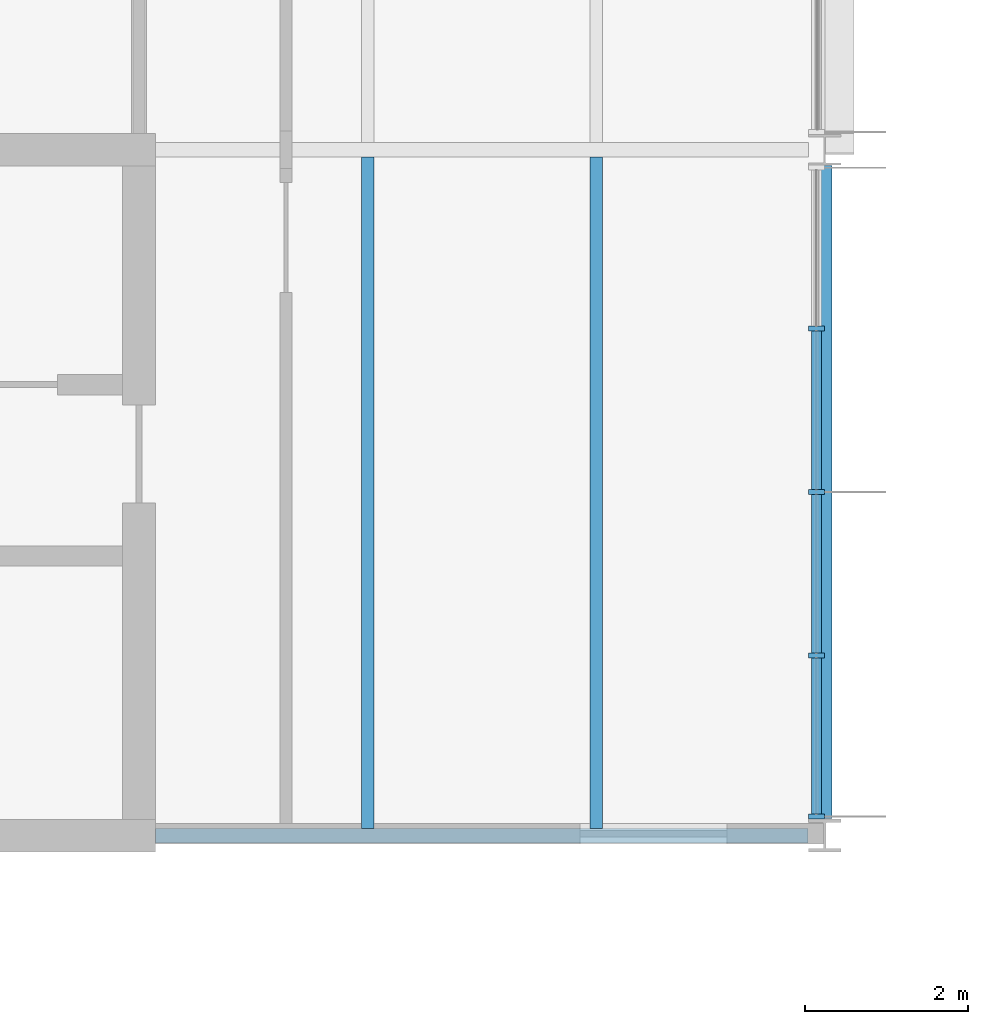
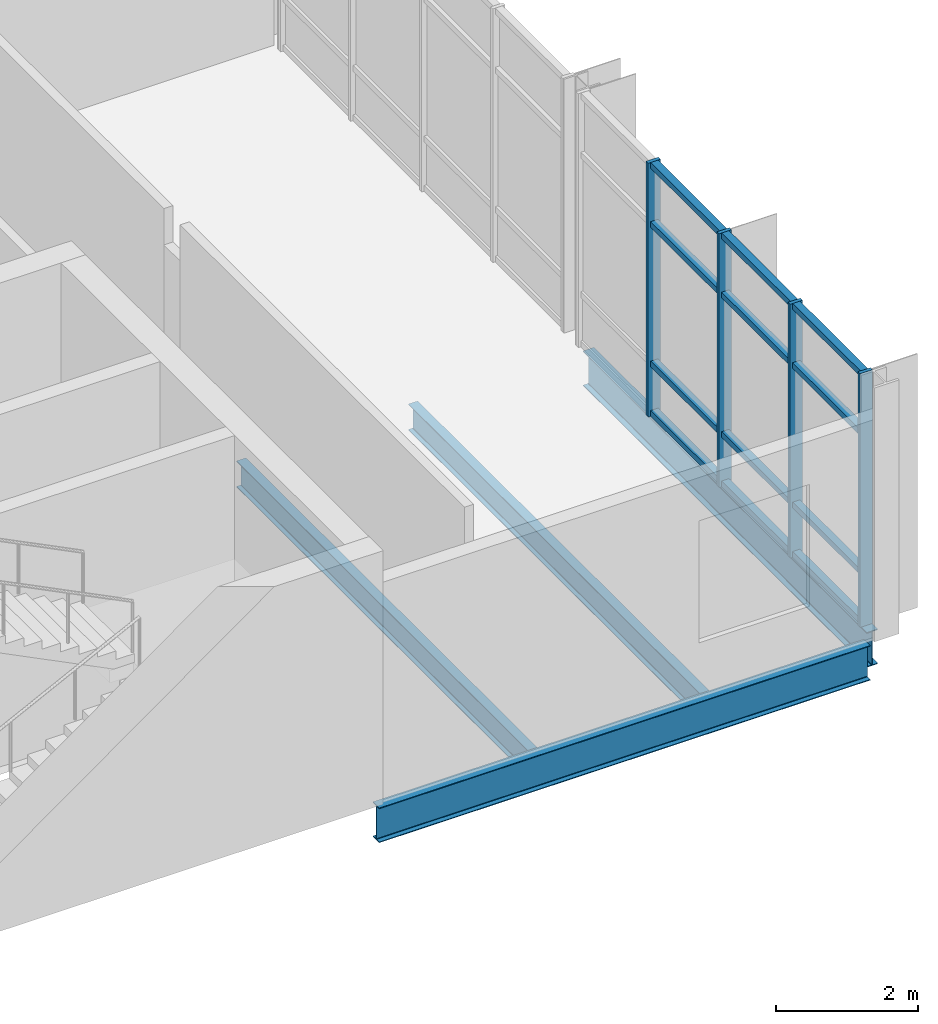
# One storey, part 14 of 76: 16 members, 4 beams, 1 element without a shape of its own.
"""IFC4 building model written with IfcOpenShell, lengths in metres."""

from ifc_helpers import new_model, si_unit, direction, frame, origin, origin_2d, place, context, subcontext, project, spatial, rectangle, i_section, extrude, material, material_profile, profile_set, type_object, element, aggregate, save


model = new_model("IFC4")

# Units and contexts
model_context = context("Model", 3, precision=1e-05, world=origin(), true_north=direction((0.0, 1.0)))
body_context = subcontext(model_context, "Body", "Model", "MODEL_VIEW")
ifc_project = project(units=[si_unit("LENGTHUNIT", "METRE"), si_unit("AREAUNIT", "SQUARE_METRE"), si_unit("VOLUMEUNIT", "CUBIC_METRE"), si_unit("PLANEANGLEUNIT", "RADIAN"), si_unit("MASSUNIT", "GRAM", prefix="KILO")], contexts=[model_context])

# Site, building, storey
site_placement = place(None, origin())
site = spatial("IfcSite", under=ifc_project, at=site_placement, CompositionType="ELEMENT")
building_placement = place(site_placement, origin())
building = spatial("IfcBuilding", under=site, at=building_placement, Name="Hlaing Beacon Police Headquarters", CompositionType="ELEMENT")
storey_placement = place(building_placement, frame((0.0, 0.0, 18.89990234375)))
storey = spatial("IfcBuildingStorey", under=building, at=storey_placement, Name="L04", CompositionType="ELEMENT", Elevation=18.89990234375)

# Beams
ifc_material_1 = material(Name="Steel ASTM A992 Grade 50", Category="steel")
ifc_material_profile_1 = material_profile(ifc_material_1, i_section(OverallWidth=0.177978515625, OverallDepth=0.599365234375, WebThickness=0.010009765625, FlangeThickness=0.012939453125, FilletRadius=0.012939453125, at=origin_2d()), Name="W24x55")
ifc_profile_set_1 = profile_set([ifc_material_profile_1], Name="Steel ASTM A992 Grade 50")
beam_type_1 = type_object("IfcBeamType", Name="Girder W24x55", PredefinedType="BEAM", material=ifc_profile_set_1)
beam_1_placement = place(storey_placement, frame((117.800048828125, 33.60009765625, -0.4296875), z_axis=(1.0, 0.0, 0.0), x_axis=(0.0, 1.0, 0.0)))
element("IfcBeam", 1, at=beam_1_placement, inside=storey, type_object=beam_type_1, Name="STR-BM-L04-GX-Q5-R5", PredefinedType="BEAM", context=body_context, shape_type="SweptSolid", body=[
    extrude(i_section(OverallWidth=0.177978515625, OverallDepth=0.599365234375, WebThickness=0.010009765625, FlangeThickness=0.012939453125, FilletRadius=0.012939453125, at=origin_2d()), origin(), (0.0, 0.0, 1.0), 7.9970703125),
])
beam_2_placement = place(storey_placement, frame((126.0, 33.80810546875, -0.4296875), z_axis=(0.0, 1.0, 0.0), x_axis=(-1.0, 0.0, 0.0)))
element("IfcBeam", 2, at=beam_2_placement, inside=storey, type_object=beam_type_1, Name="STR-BM-L04-GY-R5-R6", PredefinedType="BEAM", context=body_context, shape_type="SweptSolid", body=[
    extrude(i_section(OverallWidth=0.177978515625, OverallDepth=0.599365234375, WebThickness=0.010009765625, FlangeThickness=0.012939453125, FilletRadius=0.012939453125, at=origin_2d()), origin(), (0.0, 0.0, 1.0), 8.0009765625),
])

# Curtain wall, members
ifc_material_2 = material(Name="Aluminium frame with solar control glazing", Category="aluminium")
curtain_wall_type = type_object("IfcCurtainWallType", Name="Unitised curtain wall 8.01 x 4.37", PredefinedType="NOTDEFINED", material=ifc_material_2)
curtain_wall_placement = place(storey_placement, origin())
curtain_wall = element("IfcCurtainWall", 3, at=curtain_wall_placement, inside=storey, type_object=curtain_wall_type, Name="ENV-CW-L04-E004", PredefinedType="NOTDEFINED")
ifc_material_3 = material(Name="Aluminium", Category="aluminium")
ifc_material_profile_2 = material_profile(ifc_material_3, rectangle(XDim=0.199951171875, YDim=0.06005859375, at=origin_2d()), Name="Mullion 60x200")
ifc_profile_set_2 = profile_set([ifc_material_profile_2], Name="Aluminium")
member_type_1 = type_object("IfcMemberType", Name="Mullion 60x200", PredefinedType="MULLION", material=ifc_profile_set_2)
member_1_placement = place(storey_placement, frame((125.89990234375, 33.833251953125, 0.0), z_axis=(0.0, 0.0, 1.0), x_axis=(-1.0, 0.0, 0.0)))
member_1 = element("IfcMember", 4, at=member_1_placement, type_object=member_type_1, Name="CW-L04-E004 mullion 1", PredefinedType="MULLION", context=body_context, shape_type="SweptSolid", body=[
    extrude(rectangle(XDim=0.199951171875, YDim=0.06005859375, at=origin_2d()), origin(), (0.0, 0.0, 1.0), 4.3701171875),
])
member_2_placement = place(storey_placement, frame((125.89990234375, 35.805419921875, 0.0), z_axis=(0.0, 0.0, 1.0), x_axis=(-1.0, 0.0, 0.0)))
member_2 = element("IfcMember", 5, at=member_2_placement, type_object=member_type_1, Name="CW-L04-E004 mullion 2", PredefinedType="MULLION", context=body_context, shape_type="SweptSolid", body=[
    extrude(rectangle(XDim=0.199951171875, YDim=0.06005859375, at=origin_2d()), origin(), (0.0, 0.0, 1.0), 4.3701171875),
])
member_3_placement = place(storey_placement, frame((125.89990234375, 37.8076171875, 0.0), z_axis=(0.0, 0.0, 1.0), x_axis=(-1.0, 0.0, 0.0)))
member_3 = element("IfcMember", 6, at=member_3_placement, type_object=member_type_1, Name="CW-L04-E004 mullion 3", PredefinedType="MULLION", context=body_context, shape_type="SweptSolid", body=[
    extrude(rectangle(XDim=0.199951171875, YDim=0.06005859375, at=origin_2d()), origin(), (0.0, 0.0, 1.0), 4.3701171875),
])
member_4_placement = place(storey_placement, frame((125.89990234375, 39.809814453125, 0.0), z_axis=(0.0, 0.0, 1.0), x_axis=(-1.0, 0.0, 0.0)))
member_4 = element("IfcMember", 7, at=member_4_placement, type_object=member_type_1, Name="CW-L04-E004 mullion 4", PredefinedType="MULLION", context=body_context, shape_type="SweptSolid", body=[
    extrude(rectangle(XDim=0.199951171875, YDim=0.06005859375, at=origin_2d()), origin(), (0.0, 0.0, 1.0), 4.3701171875),
])

# Beams
ifc_material_4 = material(Name="Steel ASTM A992 Grade 50", Category="steel")
ifc_material_profile_3 = material_profile(ifc_material_4, i_section(OverallWidth=0.15234375, OverallDepth=0.449462890625, WebThickness=0.007568359375, FlangeThickness=0.0107421875, FilletRadius=0.01025390625, at=origin_2d()), Name="W18x35")
ifc_profile_set_3 = profile_set([ifc_material_profile_3], Name="Steel ASTM A992 Grade 50")
beam_type_2 = type_object("IfcBeamType", Name="Secondary beam W18x35", PredefinedType="BEAM", material=ifc_profile_set_3)
for number, where, z_axis, x_axis, name in (
    (8, (120.39990234375, 33.68896484375, -0.354736328125), (0.0, 1.0, 0.0), (-1.0, 0.0, 0.0), "STR-BM-L04-SB-Q5-y1"),
    (9, (123.199951171875, 33.68896484375, -0.354736328125), (0.0, 1.0, 0.0), (-1.0, 0.0, 0.0), "STR-BM-L04-SB-Q5-y2"),
):
    element("IfcBeam", number, at=place(storey_placement, frame(where, z_axis=z_axis, x_axis=x_axis)), inside=storey, type_object=beam_type_2, Name=name, PredefinedType="BEAM", context=body_context, shape_type="SweptSolid", body=[
        extrude(i_section(OverallWidth=0.15234375, OverallDepth=0.449462890625, WebThickness=0.007568359375, FlangeThickness=0.0107421875, FilletRadius=0.01025390625, at=origin_2d()), origin(), (0.0, 0.0, 1.0), 8.221923828125),
    ])

# Member
ifc_material_5 = material(Name="Aluminium", Category="aluminium")
ifc_material_profile_4 = material_profile(ifc_material_5, rectangle(XDim=0.1201171875, YDim=0.10009765625, at=origin_2d()), Name="Transom 120x100")
ifc_profile_set_4 = profile_set([ifc_material_profile_4], Name="Aluminium")
member_type_2 = type_object("IfcMemberType", Name="Transom 120x100", PredefinedType="USERDEFINED", material=ifc_profile_set_4)
member_5_placement = place(storey_placement, frame((125.89990234375, 33.86328125, 0.050048828125), z_axis=(0.0, 1.0, 0.0), x_axis=(-1.0, 0.0, 0.0)))
member_5 = element("IfcMember", 10, at=member_5_placement, type_object=member_type_2, Name="CW-L04-E004 transom 1.1", ObjectType="TRANSOM", PredefinedType="USERDEFINED", context=body_context, shape_type="SweptSolid", body=[
    extrude(rectangle(XDim=0.1201171875, YDim=0.10009765625, at=origin_2d()), origin(), (0.0, 0.0, 1.0), 1.912109375),
])

member_6_placement = place(storey_placement, frame((125.89990234375, 33.86328125, 0.900146484375), z_axis=(0.0, 1.0, 0.0), x_axis=(-1.0, 0.0, 0.0)))
member_6 = element("IfcMember", 11, at=member_6_placement, type_object=member_type_2, Name="CW-L04-E004 transom 1.2", ObjectType="TRANSOM", PredefinedType="USERDEFINED", context=body_context, shape_type="SweptSolid", body=[
    extrude(rectangle(XDim=0.1201171875, YDim=0.10009765625, at=origin_2d()), origin(), (0.0, 0.0, 1.0), 1.912109375),
])

member_7_placement = place(storey_placement, frame((125.89990234375, 33.86328125, 3.300048828125), z_axis=(0.0, 1.0, 0.0), x_axis=(-1.0, 0.0, 0.0)))
member_7 = element("IfcMember", 12, at=member_7_placement, type_object=member_type_2, Name="CW-L04-E004 transom 1.3", ObjectType="TRANSOM", PredefinedType="USERDEFINED", context=body_context, shape_type="SweptSolid", body=[
    extrude(rectangle(XDim=0.1201171875, YDim=0.10009765625, at=origin_2d()), origin(), (0.0, 0.0, 1.0), 1.912109375),
])

member_8_placement = place(storey_placement, frame((125.89990234375, 33.86328125, 4.320068359375), z_axis=(0.0, 1.0, 0.0), x_axis=(-1.0, 0.0, 0.0)))
member_8 = element("IfcMember", 13, at=member_8_placement, type_object=member_type_2, Name="CW-L04-E004 transom 1.4", ObjectType="TRANSOM", PredefinedType="USERDEFINED", context=body_context, shape_type="SweptSolid", body=[
    extrude(rectangle(XDim=0.1201171875, YDim=0.10009765625, at=origin_2d()), origin(), (0.0, 0.0, 1.0), 1.912109375),
])

member_9_placement = place(storey_placement, frame((125.89990234375, 35.83544921875, 0.050048828125), z_axis=(0.0, 1.0, 0.0), x_axis=(-1.0, 0.0, 0.0)))
member_9 = element("IfcMember", 14, at=member_9_placement, type_object=member_type_2, Name="CW-L04-E004 transom 2.1", ObjectType="TRANSOM", PredefinedType="USERDEFINED", context=body_context, shape_type="SweptSolid", body=[
    extrude(rectangle(XDim=0.1201171875, YDim=0.10009765625, at=origin_2d()), origin(), (0.0, 0.0, 1.0), 1.942138671875),
])

member_10_placement = place(storey_placement, frame((125.89990234375, 35.83544921875, 0.900146484375), z_axis=(0.0, 1.0, 0.0), x_axis=(-1.0, 0.0, 0.0)))
member_10 = element("IfcMember", 15, at=member_10_placement, type_object=member_type_2, Name="CW-L04-E004 transom 2.2", ObjectType="TRANSOM", PredefinedType="USERDEFINED", context=body_context, shape_type="SweptSolid", body=[
    extrude(rectangle(XDim=0.1201171875, YDim=0.10009765625, at=origin_2d()), origin(), (0.0, 0.0, 1.0), 1.942138671875),
])

member_11_placement = place(storey_placement, frame((125.89990234375, 35.83544921875, 3.300048828125), z_axis=(0.0, 1.0, 0.0), x_axis=(-1.0, 0.0, 0.0)))
member_11 = element("IfcMember", 16, at=member_11_placement, type_object=member_type_2, Name="CW-L04-E004 transom 2.3", ObjectType="TRANSOM", PredefinedType="USERDEFINED", context=body_context, shape_type="SweptSolid", body=[
    extrude(rectangle(XDim=0.1201171875, YDim=0.10009765625, at=origin_2d()), origin(), (0.0, 0.0, 1.0), 1.942138671875),
])

member_12_placement = place(storey_placement, frame((125.89990234375, 35.83544921875, 4.320068359375), z_axis=(0.0, 1.0, 0.0), x_axis=(-1.0, 0.0, 0.0)))
member_12 = element("IfcMember", 17, at=member_12_placement, type_object=member_type_2, Name="CW-L04-E004 transom 2.4", ObjectType="TRANSOM", PredefinedType="USERDEFINED", context=body_context, shape_type="SweptSolid", body=[
    extrude(rectangle(XDim=0.1201171875, YDim=0.10009765625, at=origin_2d()), origin(), (0.0, 0.0, 1.0), 1.942138671875),
])

member_13_placement = place(storey_placement, frame((125.89990234375, 37.837646484375, 0.050048828125), z_axis=(0.0, 1.0, 0.0), x_axis=(-1.0, 0.0, 0.0)))
member_13 = element("IfcMember", 18, at=member_13_placement, type_object=member_type_2, Name="CW-L04-E004 transom 3.1", ObjectType="TRANSOM", PredefinedType="USERDEFINED", context=body_context, shape_type="SweptSolid", body=[
    extrude(rectangle(XDim=0.1201171875, YDim=0.10009765625, at=origin_2d()), origin(), (0.0, 0.0, 1.0), 1.942138671875),
])

member_14_placement = place(storey_placement, frame((125.89990234375, 37.837646484375, 0.900146484375), z_axis=(0.0, 1.0, 0.0), x_axis=(-1.0, 0.0, 0.0)))
member_14 = element("IfcMember", 19, at=member_14_placement, type_object=member_type_2, Name="CW-L04-E004 transom 3.2", ObjectType="TRANSOM", PredefinedType="USERDEFINED", context=body_context, shape_type="SweptSolid", body=[
    extrude(rectangle(XDim=0.1201171875, YDim=0.10009765625, at=origin_2d()), origin(), (0.0, 0.0, 1.0), 1.942138671875),
])

member_15_placement = place(storey_placement, frame((125.89990234375, 37.837646484375, 3.300048828125), z_axis=(0.0, 1.0, 0.0), x_axis=(-1.0, 0.0, 0.0)))
member_15 = element("IfcMember", 20, at=member_15_placement, type_object=member_type_2, Name="CW-L04-E004 transom 3.3", ObjectType="TRANSOM", PredefinedType="USERDEFINED", context=body_context, shape_type="SweptSolid", body=[
    extrude(rectangle(XDim=0.1201171875, YDim=0.10009765625, at=origin_2d()), origin(), (0.0, 0.0, 1.0), 1.942138671875),
])

member_16_placement = place(storey_placement, frame((125.89990234375, 37.837646484375, 4.320068359375), z_axis=(0.0, 1.0, 0.0), x_axis=(-1.0, 0.0, 0.0)))
member_16 = element("IfcMember", 21, at=member_16_placement, type_object=member_type_2, Name="CW-L04-E004 transom 3.4", ObjectType="TRANSOM", PredefinedType="USERDEFINED", context=body_context, shape_type="SweptSolid", body=[
    extrude(rectangle(XDim=0.1201171875, YDim=0.10009765625, at=origin_2d()), origin(), (0.0, 0.0, 1.0), 1.942138671875),
])

aggregate(curtain_wall, [member_1, member_2, member_3, member_4, member_5, member_6, member_7, member_8, member_9, member_10, member_11, member_12, member_13, member_14, member_15, member_16])

save(model, "model.ifc")
